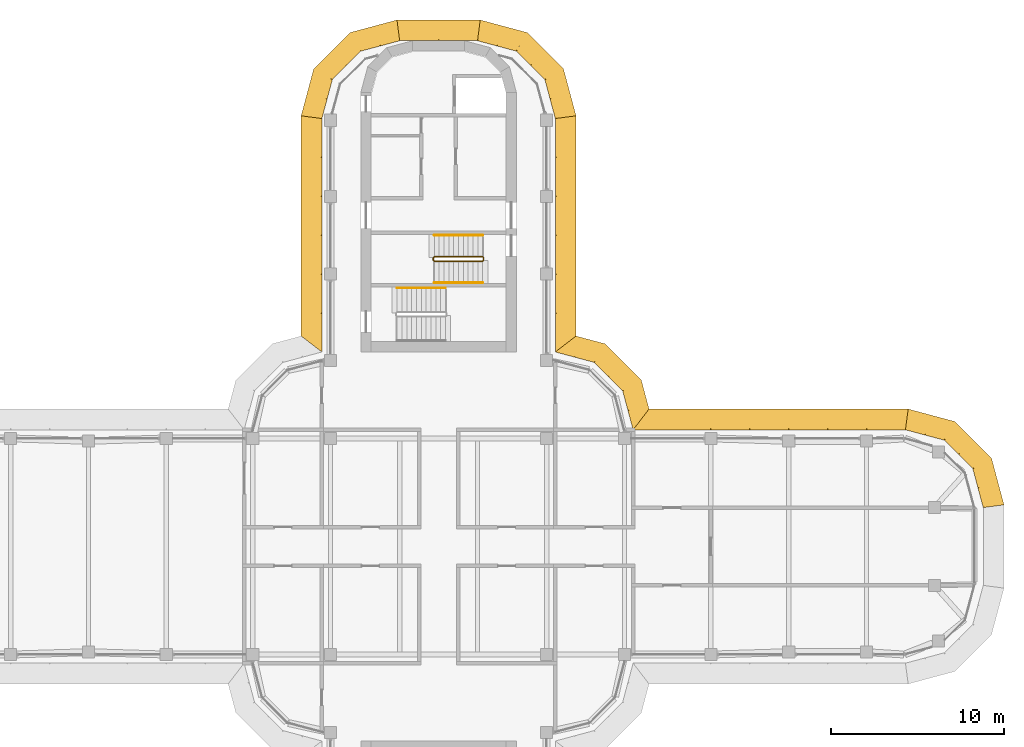
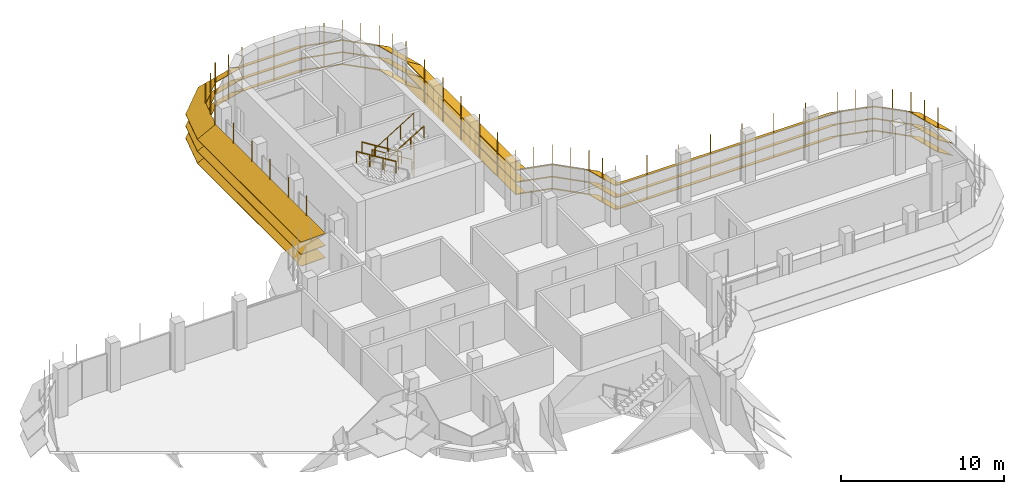
# One storey, part 18 of 19: 8 shading devices, 4 railings.
"""IFC4 building model written with IfcOpenShell, lengths in metres."""

from ifc_helpers import new_model, si_unit, direction, frame, origin, origin_2d, place, context, subcontext, project, spatial, polyline, circle, outline, extrude, faceted_brep, source, transform, mapped, material, type_object, element, save


model = new_model("IFC4")

# Units and contexts
model_context = context("Model", 3, precision=1e-05, world=origin(), true_north=direction((0.0, 1.0)))
body_context = subcontext(model_context, "Body", "Model", "MODEL_VIEW")
ifc_project = project(units=[si_unit("LENGTHUNIT", "METRE"), si_unit("AREAUNIT", "SQUARE_METRE"), si_unit("VOLUMEUNIT", "CUBIC_METRE"), si_unit("PLANEANGLEUNIT", "RADIAN"), si_unit("MASSUNIT", "GRAM", prefix="KILO")], contexts=[model_context])

# Site, building, storey
site_placement = place(None, origin())
site = spatial("IfcSite", under=ifc_project, at=site_placement, CompositionType="ELEMENT")
building_placement = place(site_placement, origin())
building = spatial("IfcBuilding", under=site, at=building_placement, Name="Zarbagh Exchange Tower", CompositionType="ELEMENT")
storey_placement = place(building_placement, frame((0.0, 0.0, 241.0)))
storey = spatial("IfcBuildingStorey", under=building, at=storey_placement, Name="L59", CompositionType="ELEMENT", Elevation=241.0)

# Railings
ifc_material_1 = material(Name="Stainless steel", Category="steel")
railing_type_1 = type_object("IfcRailingType", Name="Stair guard 1100 mm", PredefinedType="GUARDRAIL", material=ifc_material_1)
railing_1_placement = place(storey_placement, frame((2.550048828125, 16.75, 0.172607421875)))
element("IfcRailing", 1, at=railing_1_placement, inside=storey, type_object=railing_type_1, Name="ST1 stair guard 1", PredefinedType="GUARDRAIL", context=body_context, shape_type="SweptSolid", body=[
    extrude(circle(Radius=0.02392578125, at=origin_2d()), frame((0.0, 0.0, 1.076171875), z_axis=(-0.851089632645, 0.0, 0.525020415988), x_axis=(0.0, -1.0, 0.0)), (0.0, 0.0, 1.0), 3.2900390625),
    extrude(circle(Radius=0.02392578125, at=origin_2d()), frame((-2.800048828125, 0.0, 2.80322265625), z_axis=(-0.707106781187, -0.707106781187, 0.0), x_axis=(0.707106781187, -0.707106781187, 0.0)), (0.0, 0.0, 1.0), 0.07080078125),
    extrude(circle(Radius=0.02392578125, at=origin_2d()), frame((-2.85009765625, -0.050048828125, 2.80322265625), z_axis=(0.0, -1.0, 0.0), x_axis=(1.0, 0.0, 0.0)), (0.0, 0.0, 1.0), 0.14990234375),
    extrude(circle(Radius=0.02392578125, at=origin_2d()), frame((-2.85009765625, -0.199951171875, 2.80322265625), z_axis=(0.267953482034, -0.267953482034, 0.925419830635), x_axis=(0.707106781187, 0.707106781187, 0.0)), (0.0, 0.0, 1.0), 0.186767578125),
    extrude(circle(Radius=0.02392578125, at=origin_2d()), frame((-2.800048828125, -0.25, 2.97607421875), z_axis=(0.851089632645, 0.0, 0.525020415988), x_axis=(0.0, 1.0, 0.0)), (0.0, 0.0, 1.0), 3.2900390625),
    extrude(circle(Radius=0.02392578125, at=origin_2d()), frame((0.0, -0.25, 4.70361328125), z_axis=(0.013168290981, 0.013168290981, -0.999826581076), x_axis=(-0.707106781187, 0.707106781187, 0.0)), (0.0, 0.0, 1.0), 3.80078125),
    extrude(circle(Radius=0.02392578125, at=origin_2d()), frame((0.050048828125, -0.199951171875, 0.9033203125), z_axis=(0.0, 1.0, 0.0), x_axis=(-1.0, 0.0, 0.0)), (0.0, 0.0, 1.0), 0.14990234375),
    extrude(circle(Radius=0.02099609375, at=origin_2d()), origin(), (0.0, 0.0, 1.0), 1.052001953125),
    extrude(circle(Radius=0.02099609375, at=origin_2d()), frame((-0.933349609375, 0.0, 0.57568359375)), (0.0, 0.0, 1.0), 1.052001953125),
    extrude(circle(Radius=0.02099609375, at=origin_2d()), frame((-1.86669921875, 0.0, 1.151611328125)), (0.0, 0.0, 1.0), 1.052001953125),
    extrude(circle(Radius=0.02099609375, at=origin_2d()), frame((-2.800048828125, 0.0, 1.727294921875)), (0.0, 0.0, 1.0), 1.052001953125),
    extrude(circle(Radius=0.02099609375, at=origin_2d()), frame((-2.85009765625, -0.050048828125, 1.727294921875)), (0.0, 0.0, 1.0), 1.052001953125),
    extrude(circle(Radius=0.02099609375, at=origin_2d()), frame((-2.85009765625, -0.199951171875, 1.727294921875)), (0.0, 0.0, 1.0), 1.052001953125),
    extrude(circle(Radius=0.02099609375, at=origin_2d()), frame((-2.800048828125, -0.25, 1.900146484375)), (0.0, 0.0, 1.0), 1.052001953125),
    extrude(circle(Radius=0.02099609375, at=origin_2d()), frame((-1.86669921875, -0.25, 2.475830078125)), (0.0, 0.0, 1.0), 1.052001953125),
    extrude(circle(Radius=0.02099609375, at=origin_2d()), frame((-0.933349609375, -0.25, 3.0517578125)), (0.0, 0.0, 1.0), 1.052001953125),
    extrude(circle(Radius=0.02099609375, at=origin_2d()), frame((0.0, -0.25, 3.62744140625)), (0.0, 0.0, 1.0), 1.052001953125),
    extrude(circle(Radius=0.02099609375, at=origin_2d()), frame((0.012451171875, -0.237548828125, 2.677490234375)), (0.0, 0.0, 1.0), 1.052001953125),
    extrude(circle(Radius=0.02099609375, at=origin_2d()), frame((0.02490234375, -0.22509765625, 1.7275390625)), (0.0, 0.0, 1.0), 1.052001953125),
    extrude(circle(Radius=0.02099609375, at=origin_2d()), frame((0.03759765625, -0.21240234375, 0.77734375)), (0.0, 0.0, 1.0), 1.052001953125),
    extrude(circle(Radius=0.02099609375, at=origin_2d()), frame((0.050048828125, -0.199951171875, -0.172607421875)), (0.0, 0.0, 1.0), 1.052001953125),
    extrude(circle(Radius=0.02099609375, at=origin_2d()), frame((0.050048828125, -0.050048828125, -0.172607421875)), (0.0, 0.0, 1.0), 1.052001953125),
])
railing_type_2 = type_object("IfcRailingType", Name="Stair handrail 900 mm", PredefinedType="HANDRAIL", material=ifc_material_1)
railing_2_placement = place(storey_placement, frame((2.550048828125, 18.0, 0.172607421875)))
element("IfcRailing", 2, at=railing_2_placement, inside=storey, type_object=railing_type_2, Name="ST1 stair handrail 1", PredefinedType="HANDRAIL", context=body_context, shape_type="SweptSolid", body=[
    extrude(circle(Radius=0.02392578125, at=origin_2d()), frame((0.0, 0.0, 0.8759765625), z_axis=(-0.851089632645, 0.0, 0.525020415988), x_axis=(0.0, -1.0, 0.0)), (0.0, 0.0, 1.0), 3.2900390625),
    extrude(circle(Radius=0.02099609375, at=origin_2d()), origin(), (0.0, 0.0, 1.0), 0.851806640625),
    extrude(circle(Radius=0.02099609375, at=origin_2d()), frame((-0.933349609375, 0.0, 0.57568359375)), (0.0, 0.0, 1.0), 0.851806640625),
    extrude(circle(Radius=0.02099609375, at=origin_2d()), frame((-1.86669921875, 0.0, 1.151611328125)), (0.0, 0.0, 1.0), 0.851806640625),
    extrude(circle(Radius=0.02099609375, at=origin_2d()), frame((-2.800048828125, 0.0, 1.727294921875)), (0.0, 0.0, 1.0), 0.851806640625),
])
railing_3_placement = place(storey_placement, frame((-0.25, 15.25, 2.07275390625)))
element("IfcRailing", 3, at=railing_3_placement, inside=storey, type_object=railing_type_2, Name="ST1 stair handrail 2", PredefinedType="HANDRAIL", context=body_context, shape_type="SweptSolid", body=[
    extrude(circle(Radius=0.02392578125, at=origin_2d()), frame((0.0, 0.0, 0.8759765625), z_axis=(0.851089632645, 0.0, 0.525020415988), x_axis=(0.0, 1.0, 0.0)), (0.0, 0.0, 1.0), 3.2900390625),
    extrude(circle(Radius=0.02099609375, at=origin_2d()), origin(), (0.0, 0.0, 1.0), 0.851806640625),
    extrude(circle(Radius=0.02099609375, at=origin_2d()), frame((0.933349609375, 0.0, 0.57568359375)), (0.0, 0.0, 1.0), 0.851806640625),
    extrude(circle(Radius=0.02099609375, at=origin_2d()), frame((1.86669921875, 0.0, 1.151611328125)), (0.0, 0.0, 1.0), 0.851806640625),
    extrude(circle(Radius=0.02099609375, at=origin_2d()), frame((2.800048828125, 0.0, 1.727294921875)), (0.0, 0.0, 1.0), 0.851806640625),
])
railing_4_placement = place(storey_placement, frame((0.39990234375, 14.949951171875, 2.07275390625)))
element("IfcRailing", 4, at=railing_4_placement, inside=storey, type_object=railing_type_2, Name="ST2 stair handrail 2", PredefinedType="HANDRAIL", context=body_context, shape_type="SweptSolid", body=[
    extrude(circle(Radius=0.02392578125, at=origin_2d()), frame((0.0, 0.0, 0.8759765625), z_axis=(-0.851069175582, 0.0, 0.525053576669), x_axis=(0.0, -1.0, 0.0)), (0.0, 0.0, 1.0), 3.289794921875),
    extrude(circle(Radius=0.02099609375, at=origin_2d()), origin(), (0.0, 0.0, 1.0), 0.851806640625),
    extrude(circle(Radius=0.02099609375, at=origin_2d()), frame((-0.933349609375, 0.0, 0.57568359375)), (0.0, 0.0, 1.0), 0.851806640625),
    extrude(circle(Radius=0.02099609375, at=origin_2d()), frame((-1.866455078125, 0.0, 1.151611328125)), (0.0, 0.0, 1.0), 0.851806640625),
    extrude(circle(Radius=0.02099609375, at=origin_2d()), frame((-2.7998046875, 0.0, 1.727294921875)), (0.0, 0.0, 1.0), 0.851806640625),
])

# Shading devices
ifc_material_2 = material(Name="Anodised aluminium blades and brackets", Category="aluminium")
shading_device_type = type_object("IfcShadingDeviceType", Name="SUNSHADE louvre band, 33.75 degree blades", PredefinedType="JALOUSIE", material=ifc_material_2)
shared_shape_1 = source(origin(), body_context, "Body", "Brep", [
    faceted_brep([(0.0, 0.0, 0.0), (0.0, 0.0, -0.048095703125), (-0.157958984375, -1.199951171875, -0.849853515625), (-0.157958984375, -1.199951171875, -0.8017578125), (2.65087890625, -1.199951171875, -0.8017578125), (2.65087890625, -1.199951171875, -0.849853515625), (2.329345703125, 0.0, -0.048095703125), (2.329345703125, 0.0, 0.0)], [[[0, 1, 2, 3]], [[4, 5, 6, 7]], [[0, 7, 6, 1]], [[1, 6, 5, 2]], [[2, 5, 4, 3]], [[3, 4, 7, 0]]]),
])
shared_shape_2 = source(origin(), body_context, "Body", "Brep", [
    faceted_brep([(0.0, 0.0, 0.0), (0.0, 0.0, -0.048095703125), (-0.321533203125, -1.199951171875, -0.849853515625), (-0.321533203125, -1.199951171875, -0.8017578125), (2.65087890625, -1.199951171875, -0.8017578125), (2.65087890625, -1.199951171875, -0.849853515625), (2.329345703125, 0.0, -0.048095703125), (2.329345703125, 0.0, 0.0)], [[[0, 1, 2, 3]], [[4, 5, 6, 7]], [[0, 7, 6, 1]], [[1, 6, 5, 2]], [[2, 5, 4, 3]], [[3, 4, 7, 0]]]),
])
shared_shape_3 = source(origin(), body_context, "Body", "Brep", [
    faceted_brep([(0.0, 0.0, 0.0), (0.0, 0.0, -0.048095703125), (-0.321533203125, -1.199951171875, -0.849853515625), (-0.321533203125, -1.199951171875, -0.8017578125), (2.4873046875, -1.199951171875, -0.8017578125), (2.4873046875, -1.199951171875, -0.849853515625), (2.329345703125, 0.0, -0.048095703125), (2.329345703125, 0.0, 0.0)], [[[0, 1, 2, 3]], [[4, 5, 6, 7]], [[0, 7, 6, 1]], [[1, 6, 5, 2]], [[2, 5, 4, 3]], [[3, 4, 7, 0]]]),
])
shared_shape_4 = source(origin(), body_context, "Body", "SweptSolid", [
    extrude(outline(polyline([(0.0, -0.012451171875), (0.06005859375, -0.012451171875), (0.06005859375, 0.012451171875), (0.0, 0.012451171875), (0.0, -0.012451171875)])), origin(), (0.0, 0.0, 1.0), 3.358154296875),
])
placement = place(storey_placement, origin())
element("IfcShadingDevice", 5, at=placement, inside=storey, type_object=shading_device_type, Name="SS33 sunshade band", PredefinedType="JALOUSIE", context=body_context, shape_type="MappedRepresentation", body=[
    mapped(shared_shape_1, transform((31.5, 2.25, 2.300048828125), x_axis=(-0.258824779902, 0.965924289636, 0.0), y_axis=(-0.965924289636, -0.258824779902, 0.0), z_axis=(0.0, 0.0, 1.0))),
    mapped(shared_shape_1, transform((31.5, 2.25, 1.39990234375), x_axis=(-0.258824779902, 0.965924289636, 0.0), y_axis=(-0.965924289636, -0.258824779902, 0.0), z_axis=(0.0, 0.0, 1.0))),
    mapped(shared_shape_1, transform((31.5, 2.25, 0.5), x_axis=(-0.258824779902, 0.965924289636, 0.0), y_axis=(-0.965924289636, -0.258824779902, 0.0), z_axis=(0.0, 0.0, 1.0))),
    mapped(shared_shape_2, transform((30.897216796875, 4.5, 2.300048828125), x_axis=(-0.707106781187, 0.707106781187, 0.0), y_axis=(-0.707106781187, -0.707106781187, 0.0), z_axis=(0.0, 0.0, 1.0))),
    mapped(shared_shape_2, transform((30.897216796875, 4.5, 1.39990234375), x_axis=(-0.707106781187, 0.707106781187, 0.0), y_axis=(-0.707106781187, -0.707106781187, 0.0), z_axis=(0.0, 0.0, 1.0))),
    mapped(shared_shape_2, transform((30.897216796875, 4.5, 0.5), x_axis=(-0.707106781187, 0.707106781187, 0.0), y_axis=(-0.707106781187, -0.707106781187, 0.0), z_axis=(0.0, 0.0, 1.0))),
    mapped(shared_shape_3, transform((29.25, 6.147216796875, 2.300048828125), x_axis=(-0.965924289636, 0.258824779902, 0.0), y_axis=(-0.258824779902, -0.965924289636, 0.0), z_axis=(0.0, 0.0, 1.0))),
    mapped(shared_shape_3, transform((29.25, 6.147216796875, 1.39990234375), x_axis=(-0.965924289636, 0.258824779902, 0.0), y_axis=(-0.258824779902, -0.965924289636, 0.0), z_axis=(0.0, 0.0, 1.0))),
    mapped(shared_shape_3, transform((29.25, 6.147216796875, 0.5), x_axis=(-0.965924289636, 0.258824779902, 0.0), y_axis=(-0.258824779902, -0.965924289636, 0.0), z_axis=(0.0, 0.0, 1.0))),
    mapped(shared_shape_4, transform((31.5, 2.25, 0.421875), x_axis=(0.991444457092, 0.130529263012, 0.0), y_axis=(-0.130529263012, 0.991444457092, 0.0), z_axis=(0.0, 0.0, 1.0))),
    mapped(shared_shape_4, transform((31.198486328125, 3.375, 0.421875), x_axis=(0.96592421511, 0.258825058029, 0.0), y_axis=(-0.258825058029, 0.96592421511, 0.0), z_axis=(0.0, 0.0, 1.0))),
    mapped(shared_shape_4, transform((30.897216796875, 4.5, 0.421875), x_axis=(0.866023812018, 0.50000275701, 0.0), y_axis=(-0.50000275701, 0.866023812018, 0.0), z_axis=(0.0, 0.0, 1.0))),
    mapped(shared_shape_4, transform((30.073486328125, 5.323486328125, 0.421875), x_axis=(0.707106781187, 0.707106781187, 0.0), y_axis=(-0.707106781187, 0.707106781187, 0.0), z_axis=(0.0, 0.0, 1.0))),
    mapped(shared_shape_4, transform((29.25, 6.147216796875, 0.421875), x_axis=(0.50000275701, 0.866023812018, 0.0), y_axis=(-0.866023812018, 0.50000275701, 0.0), z_axis=(0.0, 0.0, 1.0))),
    mapped(shared_shape_4, transform((28.125, 6.448486328125, 0.421875), x_axis=(0.258825058029, 0.96592421511, 0.0), y_axis=(-0.96592421511, 0.258825058029, 0.0), z_axis=(0.0, 0.0, 1.0))),
])
element("IfcShadingDevice", 6, at=placement, inside=storey, type_object=shading_device_type, Name="SS46 sunshade band", PredefinedType="JALOUSIE", context=body_context, shape_type="MappedRepresentation", body=[
    mapped(shared_shape_1, transform((6.75, 24.75, 2.300048828125), x_axis=(-0.258824779902, 0.965924289636, 0.0), y_axis=(-0.965924289636, -0.258824779902, 0.0), z_axis=(0.0, 0.0, 1.0))),
    mapped(shared_shape_1, transform((6.75, 24.75, 1.39990234375), x_axis=(-0.258824779902, 0.965924289636, 0.0), y_axis=(-0.965924289636, -0.258824779902, 0.0), z_axis=(0.0, 0.0, 1.0))),
    mapped(shared_shape_1, transform((6.75, 24.75, 0.5), x_axis=(-0.258824779902, 0.965924289636, 0.0), y_axis=(-0.965924289636, -0.258824779902, 0.0), z_axis=(0.0, 0.0, 1.0))),
    mapped(shared_shape_2, transform((6.147216796875, 27.0, 2.300048828125), x_axis=(-0.707106781187, 0.707106781187, 0.0), y_axis=(-0.707106781187, -0.707106781187, 0.0), z_axis=(0.0, 0.0, 1.0))),
    mapped(shared_shape_2, transform((6.147216796875, 27.0, 1.39990234375), x_axis=(-0.707106781187, 0.707106781187, 0.0), y_axis=(-0.707106781187, -0.707106781187, 0.0), z_axis=(0.0, 0.0, 1.0))),
    mapped(shared_shape_2, transform((6.147216796875, 27.0, 0.5), x_axis=(-0.707106781187, 0.707106781187, 0.0), y_axis=(-0.707106781187, -0.707106781187, 0.0), z_axis=(0.0, 0.0, 1.0))),
    mapped(shared_shape_3, transform((4.5, 28.647216796875, 2.300048828125), x_axis=(-0.965924289636, 0.258824779902, 0.0), y_axis=(-0.258824779902, -0.965924289636, 0.0), z_axis=(0.0, 0.0, 1.0))),
    mapped(shared_shape_3, transform((4.5, 28.647216796875, 1.39990234375), x_axis=(-0.965924289636, 0.258824779902, 0.0), y_axis=(-0.258824779902, -0.965924289636, 0.0), z_axis=(0.0, 0.0, 1.0))),
    mapped(shared_shape_3, transform((4.5, 28.647216796875, 0.5), x_axis=(-0.965924289636, 0.258824779902, 0.0), y_axis=(-0.258824779902, -0.965924289636, 0.0), z_axis=(0.0, 0.0, 1.0))),
    mapped(shared_shape_4, transform((6.75, 24.75, 0.421875), x_axis=(0.991444457092, 0.130529263012, 0.0), y_axis=(-0.130529263012, 0.991444457092, 0.0), z_axis=(0.0, 0.0, 1.0))),
    mapped(shared_shape_4, transform((6.448486328125, 25.875, 0.421875), x_axis=(0.96592421511, 0.258825058029, 0.0), y_axis=(-0.258825058029, 0.96592421511, 0.0), z_axis=(0.0, 0.0, 1.0))),
    mapped(shared_shape_4, transform((6.147216796875, 27.0, 0.421875), x_axis=(0.866023812018, 0.50000275701, 0.0), y_axis=(-0.50000275701, 0.866023812018, 0.0), z_axis=(0.0, 0.0, 1.0))),
    mapped(shared_shape_4, transform((5.323486328125, 27.823486328125, 0.421875), x_axis=(0.707106781187, 0.707106781187, 0.0), y_axis=(-0.707106781187, 0.707106781187, 0.0), z_axis=(0.0, 0.0, 1.0))),
    mapped(shared_shape_4, transform((4.5, 28.647216796875, 0.421875), x_axis=(0.50000275701, 0.866023812018, 0.0), y_axis=(-0.866023812018, 0.50000275701, 0.0), z_axis=(0.0, 0.0, 1.0))),
    mapped(shared_shape_4, transform((3.375, 28.948486328125, 0.421875), x_axis=(0.258825058029, 0.96592421511, 0.0), y_axis=(-0.96592421511, 0.258825058029, 0.0), z_axis=(0.0, 0.0, 1.0))),
])
element("IfcShadingDevice", 7, at=placement, inside=storey, type_object=shading_device_type, Name="SS48 sunshade band", PredefinedType="JALOUSIE", context=body_context, shape_type="MappedRepresentation", body=[
    mapped(shared_shape_1, transform((-2.25, 29.25, 2.300048828125), x_axis=(-0.965924289636, -0.258824779902, 0.0), y_axis=(0.258824779902, -0.965924289636, 0.0), z_axis=(0.0, 0.0, 1.0))),
    mapped(shared_shape_1, transform((-2.25, 29.25, 1.39990234375), x_axis=(-0.965924289636, -0.258824779902, 0.0), y_axis=(0.258824779902, -0.965924289636, 0.0), z_axis=(0.0, 0.0, 1.0))),
    mapped(shared_shape_1, transform((-2.25, 29.25, 0.5), x_axis=(-0.965924289636, -0.258824779902, 0.0), y_axis=(0.258824779902, -0.965924289636, 0.0), z_axis=(0.0, 0.0, 1.0))),
    mapped(shared_shape_2, transform((-4.5, 28.647216796875, 2.300048828125), x_axis=(-0.707106781187, -0.707106781187, 0.0), y_axis=(0.707106781187, -0.707106781187, 0.0), z_axis=(0.0, 0.0, 1.0))),
    mapped(shared_shape_2, transform((-4.5, 28.647216796875, 1.39990234375), x_axis=(-0.707106781187, -0.707106781187, 0.0), y_axis=(0.707106781187, -0.707106781187, 0.0), z_axis=(0.0, 0.0, 1.0))),
    mapped(shared_shape_2, transform((-4.5, 28.647216796875, 0.5), x_axis=(-0.707106781187, -0.707106781187, 0.0), y_axis=(0.707106781187, -0.707106781187, 0.0), z_axis=(0.0, 0.0, 1.0))),
    mapped(shared_shape_3, transform((-6.147216796875, 27.0, 2.300048828125), x_axis=(-0.258824779902, -0.965924289636, 0.0), y_axis=(0.965924289636, -0.258824779902, 0.0), z_axis=(0.0, 0.0, 1.0))),
    mapped(shared_shape_3, transform((-6.147216796875, 27.0, 1.39990234375), x_axis=(-0.258824779902, -0.965924289636, 0.0), y_axis=(0.965924289636, -0.258824779902, 0.0), z_axis=(0.0, 0.0, 1.0))),
    mapped(shared_shape_3, transform((-6.147216796875, 27.0, 0.5), x_axis=(-0.258824779902, -0.965924289636, 0.0), y_axis=(0.965924289636, -0.258824779902, 0.0), z_axis=(0.0, 0.0, 1.0))),
    mapped(shared_shape_4, transform((-2.25, 29.25, 0.421875), x_axis=(-0.130529263012, 0.991444457092, 0.0), y_axis=(-0.991444457092, -0.130529263012, 0.0), z_axis=(0.0, 0.0, 1.0))),
    mapped(shared_shape_4, transform((-3.375, 28.948486328125, 0.421875), x_axis=(-0.258825058029, 0.96592421511, 0.0), y_axis=(-0.96592421511, -0.258825058029, 0.0), z_axis=(0.0, 0.0, 1.0))),
    mapped(shared_shape_4, transform((-4.5, 28.647216796875, 0.421875), x_axis=(-0.50000275701, 0.866023812018, 0.0), y_axis=(-0.866023812018, -0.50000275701, 0.0), z_axis=(0.0, 0.0, 1.0))),
    mapped(shared_shape_4, transform((-5.323486328125, 27.823486328125, 0.421875), x_axis=(-0.707106781187, 0.707106781187, 0.0), y_axis=(-0.707106781187, -0.707106781187, 0.0), z_axis=(0.0, 0.0, 1.0))),
    mapped(shared_shape_4, transform((-6.147216796875, 27.0, 0.421875), x_axis=(-0.866023812018, 0.50000275701, 0.0), y_axis=(-0.50000275701, -0.866023812018, 0.0), z_axis=(0.0, 0.0, 1.0))),
    mapped(shared_shape_4, transform((-6.448486328125, 25.875, 0.421875), x_axis=(-0.96592421511, 0.258825058029, 0.0), y_axis=(-0.258825058029, -0.96592421511, 0.0), z_axis=(0.0, 0.0, 1.0))),
])
shared_shape_5 = source(origin(), body_context, "Body", "Brep", [
    faceted_brep([(0.0, 0.0, 0.0), (0.0, 0.0, -0.048095703125), (0.9208984375, -1.199951171875, -0.849853515625), (0.9208984375, -1.199951171875, -0.8017578125), (2.65087890625, -1.199951171875, -0.8017578125), (2.65087890625, -1.199951171875, -0.849853515625), (2.329345703125, 0.0, -0.048095703125), (2.329345703125, 0.0, 0.0)], [[[0, 1, 2, 3]], [[4, 5, 6, 7]], [[0, 7, 6, 1]], [[1, 6, 5, 2]], [[2, 5, 4, 3]], [[3, 4, 7, 0]]]),
])
shared_shape_6 = source(origin(), body_context, "Body", "Brep", [
    faceted_brep([(0.0, 0.0, 0.0), (0.0, 0.0, -0.048095703125), (-0.321533203125, -1.199951171875, -0.849853515625), (-0.321533203125, -1.199951171875, -0.8017578125), (1.40869140625, -1.199951171875, -0.8017578125), (1.40869140625, -1.199951171875, -0.849853515625), (2.329345703125, 0.0, -0.048095703125), (2.329345703125, 0.0, 0.0)], [[[0, 1, 2, 3]], [[4, 5, 6, 7]], [[0, 7, 6, 1]], [[1, 6, 5, 2]], [[2, 5, 4, 3]], [[3, 4, 7, 0]]]),
])
element("IfcShadingDevice", 8, at=placement, inside=storey, type_object=shading_device_type, Name="SS09 sunshade band", PredefinedType="JALOUSIE", context=body_context, shape_type="MappedRepresentation", body=[
    mapped(shared_shape_5, transform((11.25, 6.75, 2.300048828125), x_axis=(-0.258824779902, 0.965924289636, 0.0), y_axis=(-0.965924289636, -0.258824779902, 0.0), z_axis=(0.0, 0.0, 1.0))),
    mapped(shared_shape_5, transform((11.25, 6.75, 1.39990234375), x_axis=(-0.258824779902, 0.965924289636, 0.0), y_axis=(-0.965924289636, -0.258824779902, 0.0), z_axis=(0.0, 0.0, 1.0))),
    mapped(shared_shape_5, transform((11.25, 6.75, 0.5), x_axis=(-0.258824779902, 0.965924289636, 0.0), y_axis=(-0.965924289636, -0.258824779902, 0.0), z_axis=(0.0, 0.0, 1.0))),
    mapped(shared_shape_2, transform((10.647216796875, 9.0, 2.300048828125), x_axis=(-0.707106781187, 0.707106781187, 0.0), y_axis=(-0.707106781187, -0.707106781187, 0.0), z_axis=(0.0, 0.0, 1.0))),
    mapped(shared_shape_2, transform((10.647216796875, 9.0, 1.39990234375), x_axis=(-0.707106781187, 0.707106781187, 0.0), y_axis=(-0.707106781187, -0.707106781187, 0.0), z_axis=(0.0, 0.0, 1.0))),
    mapped(shared_shape_2, transform((10.647216796875, 9.0, 0.5), x_axis=(-0.707106781187, 0.707106781187, 0.0), y_axis=(-0.707106781187, -0.707106781187, 0.0), z_axis=(0.0, 0.0, 1.0))),
    mapped(shared_shape_6, transform((9.0, 10.647216796875, 2.300048828125), x_axis=(-0.965924289636, 0.258824779902, 0.0), y_axis=(-0.258824779902, -0.965924289636, 0.0), z_axis=(0.0, 0.0, 1.0))),
    mapped(shared_shape_6, transform((9.0, 10.647216796875, 1.39990234375), x_axis=(-0.965924289636, 0.258824779902, 0.0), y_axis=(-0.258824779902, -0.965924289636, 0.0), z_axis=(0.0, 0.0, 1.0))),
    mapped(shared_shape_6, transform((9.0, 10.647216796875, 0.5), x_axis=(-0.965924289636, 0.258824779902, 0.0), y_axis=(-0.258824779902, -0.965924289636, 0.0), z_axis=(0.0, 0.0, 1.0))),
    mapped(shared_shape_4, transform((11.25, 6.75, 0.421875), x_axis=(0.608758892, 0.793355287, 0.0), y_axis=(-0.793355287, 0.608758892, 0.0), z_axis=(0.0, 0.0, 1.0))),
    mapped(shared_shape_4, transform((10.948486328125, 7.875, 0.421875), x_axis=(0.96592421511, 0.258825058029, 0.0), y_axis=(-0.258825058029, 0.96592421511, 0.0), z_axis=(0.0, 0.0, 1.0))),
    mapped(shared_shape_4, transform((10.647216796875, 9.0, 0.421875), x_axis=(0.866023812018, 0.50000275701, 0.0), y_axis=(-0.50000275701, 0.866023812018, 0.0), z_axis=(0.0, 0.0, 1.0))),
    mapped(shared_shape_4, transform((9.823486328125, 9.823486328125, 0.421875), x_axis=(0.707106781187, 0.707106781187, 0.0), y_axis=(-0.707106781187, 0.707106781187, 0.0), z_axis=(0.0, 0.0, 1.0))),
    mapped(shared_shape_4, transform((9.0, 10.647216796875, 0.421875), x_axis=(0.50000275701, 0.866023812018, 0.0), y_axis=(-0.866023812018, 0.50000275701, 0.0), z_axis=(0.0, 0.0, 1.0))),
    mapped(shared_shape_4, transform((7.875, 10.948486328125, 0.421875), x_axis=(0.258825058029, 0.96592421511, 0.0), y_axis=(-0.96592421511, 0.258825058029, 0.0), z_axis=(0.0, 0.0, 1.0))),
])
shared_shape_7 = source(origin(), body_context, "Body", "Brep", [
    faceted_brep([(0.0, 0.0, 0.0), (0.0, 0.0, -0.048095703125), (-0.157958984375, -1.199951171875, -0.849853515625), (-0.157958984375, -1.199951171875, -0.8017578125), (14.8291015625, -1.199951171875, -0.8017578125), (14.8291015625, -1.199951171875, -0.849853515625), (15.75, 0.0, -0.048095703125), (15.75, 0.0, 0.0)], [[[0, 1, 2, 3]], [[4, 5, 6, 7]], [[0, 7, 6, 1]], [[1, 6, 5, 2]], [[2, 5, 4, 3]], [[3, 4, 7, 0]]]),
])
element("IfcShadingDevice", 9, at=placement, inside=storey, type_object=shading_device_type, Name="SS34 sunshade band", PredefinedType="JALOUSIE", context=body_context, shape_type="MappedRepresentation", body=[
    mapped(shared_shape_7, transform((27.0, 6.75, 2.300048828125), x_axis=(-1.0, 0.0, 0.0), y_axis=(0.0, -1.0, 0.0), z_axis=(0.0, 0.0, 1.0))),
    mapped(shared_shape_7, transform((27.0, 6.75, 1.39990234375), x_axis=(-1.0, 0.0, 0.0), y_axis=(0.0, -1.0, 0.0), z_axis=(0.0, 0.0, 1.0))),
    mapped(shared_shape_7, transform((27.0, 6.75, 0.5), x_axis=(-1.0, 0.0, 0.0), y_axis=(0.0, -1.0, 0.0), z_axis=(0.0, 0.0, 1.0))),
    mapped(shared_shape_4, transform((27.0, 6.75, 0.421875), x_axis=(0.130529263012, 0.991444457092, 0.0), y_axis=(-0.991444457092, 0.130529263012, 0.0), z_axis=(0.0, 0.0, 1.0))),
    mapped(shared_shape_4, transform((24.75, 6.75, 0.421875), x_axis=(0.0, 1.0, 0.0), y_axis=(-1.0, 0.0, 0.0), z_axis=(0.0, 0.0, 1.0))),
    mapped(shared_shape_4, transform((22.5, 6.75, 0.421875), x_axis=(0.0, 1.0, 0.0), y_axis=(-1.0, 0.0, 0.0), z_axis=(0.0, 0.0, 1.0))),
    mapped(shared_shape_4, transform((20.25, 6.75, 0.421875), x_axis=(0.0, 1.0, 0.0), y_axis=(-1.0, 0.0, 0.0), z_axis=(0.0, 0.0, 1.0))),
    mapped(shared_shape_4, transform((18.0, 6.75, 0.421875), x_axis=(0.0, 1.0, 0.0), y_axis=(-1.0, 0.0, 0.0), z_axis=(0.0, 0.0, 1.0))),
    mapped(shared_shape_4, transform((15.75, 6.75, 0.421875), x_axis=(0.0, 1.0, 0.0), y_axis=(-1.0, 0.0, 0.0), z_axis=(0.0, 0.0, 1.0))),
    mapped(shared_shape_4, transform((13.5, 6.75, 0.421875), x_axis=(0.0, 1.0, 0.0), y_axis=(-1.0, 0.0, 0.0), z_axis=(0.0, 0.0, 1.0))),
])
shared_shape_8 = source(origin(), body_context, "Body", "Brep", [
    faceted_brep([(0.0, 0.0, 0.0), (0.0, 0.0, -0.048095703125), (0.9208984375, -1.199951171875, -0.849853515625), (0.9208984375, -1.199951171875, -0.8017578125), (13.657958984375, -1.199951171875, -0.8017578125), (13.657958984375, -1.199951171875, -0.849853515625), (13.5, 0.0, -0.048095703125), (13.5, 0.0, 0.0)], [[[0, 1, 2, 3]], [[4, 5, 6, 7]], [[0, 7, 6, 1]], [[1, 6, 5, 2]], [[2, 5, 4, 3]], [[3, 4, 7, 0]]]),
])
element("IfcShadingDevice", 10, at=placement, inside=storey, type_object=shading_device_type, Name="SS45 sunshade band", PredefinedType="JALOUSIE", context=body_context, shape_type="MappedRepresentation", body=[
    mapped(shared_shape_8, transform((6.75, 11.25, 2.300048828125), x_axis=(0.0, 1.0, 0.0), y_axis=(-1.0, 0.0, 0.0), z_axis=(0.0, 0.0, 1.0))),
    mapped(shared_shape_8, transform((6.75, 11.25, 1.39990234375), x_axis=(0.0, 1.0, 0.0), y_axis=(-1.0, 0.0, 0.0), z_axis=(0.0, 0.0, 1.0))),
    mapped(shared_shape_8, transform((6.75, 11.25, 0.5), x_axis=(0.0, 1.0, 0.0), y_axis=(-1.0, 0.0, 0.0), z_axis=(0.0, 0.0, 1.0))),
    mapped(shared_shape_4, transform((6.75, 11.25, 0.421875), x_axis=(0.793355287, 0.608758892, 0.0), y_axis=(-0.608758892, 0.793355287, 0.0), z_axis=(0.0, 0.0, 1.0))),
    mapped(shared_shape_4, transform((6.75, 13.5, 0.421875), x_axis=(1.0, 0.0, 0.0), y_axis=(0.0, 1.0, 0.0), z_axis=(0.0, 0.0, 1.0))),
    mapped(shared_shape_4, transform((6.75, 15.75, 0.421875), x_axis=(1.0, 0.0, 0.0), y_axis=(0.0, 1.0, 0.0), z_axis=(0.0, 0.0, 1.0))),
    mapped(shared_shape_4, transform((6.75, 18.0, 0.421875), x_axis=(1.0, 0.0, 0.0), y_axis=(0.0, 1.0, 0.0), z_axis=(0.0, 0.0, 1.0))),
    mapped(shared_shape_4, transform((6.75, 20.25, 0.421875), x_axis=(1.0, 0.0, 0.0), y_axis=(0.0, 1.0, 0.0), z_axis=(0.0, 0.0, 1.0))),
    mapped(shared_shape_4, transform((6.75, 22.5, 0.421875), x_axis=(1.0, 0.0, 0.0), y_axis=(0.0, 1.0, 0.0), z_axis=(0.0, 0.0, 1.0))),
])
shared_shape_9 = source(origin(), body_context, "Body", "Brep", [
    faceted_brep([(0.0, 0.0, 0.0), (0.0, 0.0, -0.048095703125), (-0.157958984375, -1.199951171875, -0.849853515625), (-0.157958984375, -1.199951171875, -0.8017578125), (4.657958984375, -1.199951171875, -0.8017578125), (4.657958984375, -1.199951171875, -0.849853515625), (4.5, 0.0, -0.048095703125), (4.5, 0.0, 0.0)], [[[0, 1, 2, 3]], [[4, 5, 6, 7]], [[0, 7, 6, 1]], [[1, 6, 5, 2]], [[2, 5, 4, 3]], [[3, 4, 7, 0]]]),
])
element("IfcShadingDevice", 11, at=placement, inside=storey, type_object=shading_device_type, Name="SS47 sunshade band", PredefinedType="JALOUSIE", context=body_context, shape_type="MappedRepresentation", body=[
    mapped(shared_shape_9, transform((2.25, 29.25, 2.300048828125), x_axis=(-1.0, 0.0, 0.0), y_axis=(0.0, -1.0, 0.0), z_axis=(0.0, 0.0, 1.0))),
    mapped(shared_shape_9, transform((2.25, 29.25, 1.39990234375), x_axis=(-1.0, 0.0, 0.0), y_axis=(0.0, -1.0, 0.0), z_axis=(0.0, 0.0, 1.0))),
    mapped(shared_shape_9, transform((2.25, 29.25, 0.5), x_axis=(-1.0, 0.0, 0.0), y_axis=(0.0, -1.0, 0.0), z_axis=(0.0, 0.0, 1.0))),
    mapped(shared_shape_4, transform((2.25, 29.25, 0.421875), x_axis=(0.130529263012, 0.991444457092, 0.0), y_axis=(-0.991444457092, 0.130529263012, 0.0), z_axis=(0.0, 0.0, 1.0))),
    mapped(shared_shape_4, transform((0.0, 29.25, 0.421875), x_axis=(0.0, 1.0, 0.0), y_axis=(-1.0, 0.0, 0.0), z_axis=(0.0, 0.0, 1.0))),
])
shared_shape_10 = source(origin(), body_context, "Body", "Brep", [
    faceted_brep([(0.0, 0.0, 0.0), (0.0, 0.0, -0.048095703125), (-0.157958984375, -1.199951171875, -0.849853515625), (-0.157958984375, -1.199951171875, -0.8017578125), (12.5791015625, -1.199951171875, -0.8017578125), (12.5791015625, -1.199951171875, -0.849853515625), (13.5, 0.0, -0.048095703125), (13.5, 0.0, 0.0)], [[[0, 1, 2, 3]], [[4, 5, 6, 7]], [[0, 7, 6, 1]], [[1, 6, 5, 2]], [[2, 5, 4, 3]], [[3, 4, 7, 0]]]),
])
element("IfcShadingDevice", 12, at=placement, inside=storey, type_object=shading_device_type, Name="SS49 sunshade band", PredefinedType="JALOUSIE", context=body_context, shape_type="MappedRepresentation", body=[
    mapped(shared_shape_10, transform((-6.75, 24.75, 2.300048828125), x_axis=(0.0, -1.0, 0.0), y_axis=(1.0, 0.0, 0.0), z_axis=(0.0, 0.0, 1.0))),
    mapped(shared_shape_10, transform((-6.75, 24.75, 1.39990234375), x_axis=(0.0, -1.0, 0.0), y_axis=(1.0, 0.0, 0.0), z_axis=(0.0, 0.0, 1.0))),
    mapped(shared_shape_10, transform((-6.75, 24.75, 0.5), x_axis=(0.0, -1.0, 0.0), y_axis=(1.0, 0.0, 0.0), z_axis=(0.0, 0.0, 1.0))),
    mapped(shared_shape_4, transform((-6.75, 24.75, 0.421875), x_axis=(-0.991444457092, 0.130529263012, 0.0), y_axis=(-0.130529263012, -0.991444457092, 0.0), z_axis=(0.0, 0.0, 1.0))),
    mapped(shared_shape_4, transform((-6.75, 22.5, 0.421875), x_axis=(-1.0, 0.0, 0.0), y_axis=(0.0, -1.0, 0.0), z_axis=(0.0, 0.0, 1.0))),
    mapped(shared_shape_4, transform((-6.75, 20.25, 0.421875), x_axis=(-1.0, 0.0, 0.0), y_axis=(0.0, -1.0, 0.0), z_axis=(0.0, 0.0, 1.0))),
    mapped(shared_shape_4, transform((-6.75, 18.0, 0.421875), x_axis=(-1.0, 0.0, 0.0), y_axis=(0.0, -1.0, 0.0), z_axis=(0.0, 0.0, 1.0))),
    mapped(shared_shape_4, transform((-6.75, 15.75, 0.421875), x_axis=(-1.0, 0.0, 0.0), y_axis=(0.0, -1.0, 0.0), z_axis=(0.0, 0.0, 1.0))),
    mapped(shared_shape_4, transform((-6.75, 13.5, 0.421875), x_axis=(-1.0, 0.0, 0.0), y_axis=(0.0, -1.0, 0.0), z_axis=(0.0, 0.0, 1.0))),
])

save(model, "model.ifc")
